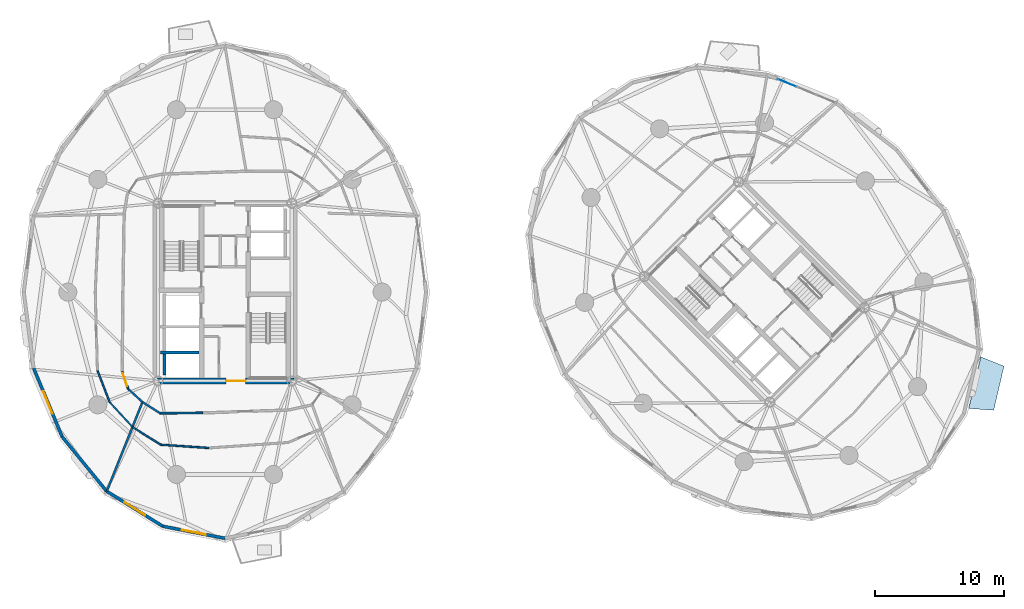
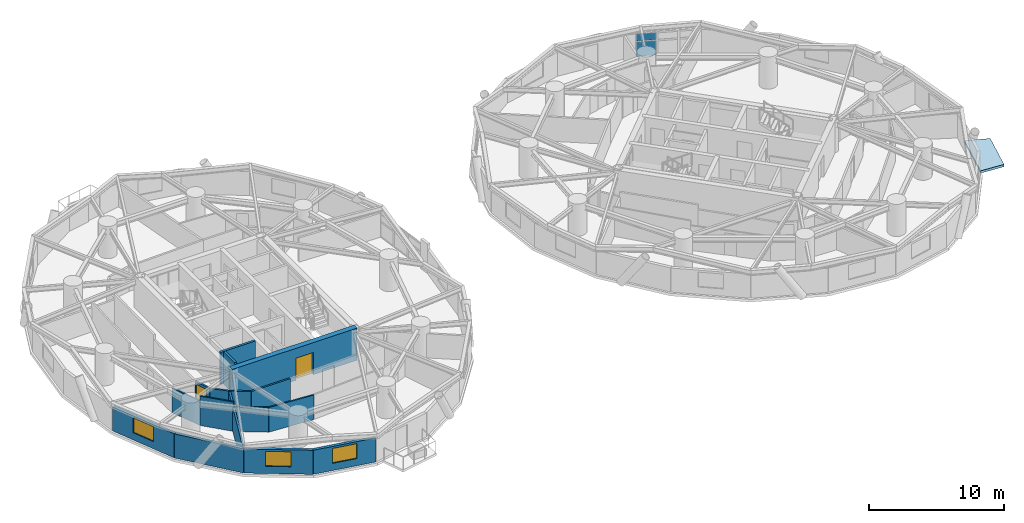
# One storey, part 8 of 18: 16 walls, 3 windows, 2 doors, 2 plates, 1 slab, 5 openings, 1 element without a shape of its own.
"""IFC4 building model written with IfcOpenShell, lengths in metres."""

from ifc_helpers import new_model, si_unit, direction, frame, frame_2d, origin, origin_2d, place, context, subcontext, project, spatial, polyline, rectangle, outline, extrude, source, transform, mapped, material, layer, layer_set, type_object, element, fill, aggregate, save


model = new_model("IFC4")

# Units and contexts
model_context = context("Model", 3, precision=1e-05, world=origin(), true_north=direction((0.0, 1.0)))
body_context = subcontext(model_context, "Body", "Model", "MODEL_VIEW")
ifc_project = project(units=[si_unit("LENGTHUNIT", "METRE"), si_unit("AREAUNIT", "SQUARE_METRE"), si_unit("VOLUMEUNIT", "CUBIC_METRE"), si_unit("PLANEANGLEUNIT", "RADIAN"), si_unit("MASSUNIT", "GRAM", prefix="KILO")], contexts=[model_context])

# Site, building, storey
site_placement = place(None, origin())
site = spatial("IfcSite", under=ifc_project, at=site_placement, CompositionType="ELEMENT")
building_placement = place(site_placement, origin())
building = spatial("IfcBuilding", under=site, at=building_placement, Name="Cununo Teusaquillo Station Towers", CompositionType="ELEMENT")
storey_placement = place(building_placement, frame((0.0, 0.0, 105.070068359375)))
storey = spatial("IfcBuildingStorey", under=building, at=storey_placement, Name="L33", CompositionType="ELEMENT", Elevation=105.070068359375)

# Slab
ifc_material_1 = material(Name="Concrete C50/60", Category="concrete")
ifc_layer_1 = layer(ifc_material_1, 0.2099609375)
ifc_layer_set_1 = layer_set([ifc_layer_1], Name="Concrete C50/60")
slab_type = type_object("IfcSlabType", Name="SLB-BAL-210", PredefinedType="FLOOR", material=ifc_layer_set_1)
slab_placement = place(storey_placement, frame((0.0, 0.0, -0.2099609375)))
element("IfcSlab", 1, at=slab_placement, inside=storey, type_object=slab_type, Name="L33 Tower B Tree Balcony Slab 2", PredefinedType="FLOOR", context=body_context, shape_type="SweptSolid", body=[
    extrude(outline(polyline([(74.1083984375, 15.4873046875), (75.04150390625, 19.486083984375), (76.83837890625, 18.7587890625), (76.04150390625, 15.344482421875), (74.1083984375, 15.4873046875)])), origin(), (0.0, 0.0, 1.0), 0.2099609375),
])

# Curtain wall, plates
ifc_material_2 = material(Name="Ceramic-fritted dark low-E double glazing", Category="glass")
ifc_layer_2 = layer(ifc_material_2, 0.179931640625)
ifc_layer_set_2 = layer_set([ifc_layer_2], Name="Ceramic-fritted dark low-E double glazing")
curtain_wall_type = type_object("IfcCurtainWallType", Name="CW-SYS-04", PredefinedType="USERDEFINED", material=ifc_layer_set_2)
curtain_wall_placement = place(storey_placement, origin())
curtain_wall = element("IfcCurtainWall", 2, at=curtain_wall_placement, inside=storey, type_object=curtain_wall_type, Name="L33 Tower B Facade Curtain Wall C01", ObjectType="FRITTED GLAZING", PredefinedType="USERDEFINED")
ifc_material_3 = material(Name="Ceramic-fritted dark low-E double glazing", Category="glass")
ifc_layer_3 = layer(ifc_material_3, 0.028076171875)
ifc_layer_set_3 = layer_set([ifc_layer_3], Name="Ceramic-fritted dark low-E double glazing")
plate_type = type_object("IfcPlateType", Name="CWP-FRIT-28", PredefinedType="CURTAIN_PANEL", material=ifc_layer_set_3)
shared_shape_1 = source(origin(), body_context, "Body", "SweptSolid", [
    extrude(rectangle(XDim=1.531005859375, YDim=0.028076171875, at=origin_2d()), origin(), (0.0, 0.0, 1.0), 1.31103515625),
])
plate_1_placement = place(storey_placement, frame((60.045654296875, 40.697021484375, 0.06982421875), z_axis=(0.0, 0.0, 1.0), x_axis=(0.924562443652, -0.381030560176, 0.0)))
plate_1 = element("IfcPlate", 3, at=plate_1_placement, type_object=plate_type, Name="CW-04 panel 1.1", PredefinedType="CURTAIN_PANEL", context=body_context, shape_type="MappedRepresentation", body=[
    mapped(shared_shape_1, transform((0.0, 0.0, 0.0), x_axis=(1.0, 0.0, 0.0), y_axis=(0.0, 1.0, 0.0), z_axis=(0.0, 0.0, 1.0), scale=1.0)),
])
shared_shape_2 = source(origin(), body_context, "Body", "SweptSolid", [
    extrude(rectangle(XDim=1.531005859375, YDim=0.028076171875, at=origin_2d()), origin(), (0.0, 0.0, 1.0), 0.657958984375),
])
plate_2_placement = place(storey_placement, frame((60.045654296875, 40.697021484375, 1.451171875), z_axis=(0.0, 0.0, 1.0), x_axis=(0.924562443652, -0.381030560176, 0.0)))
plate_2 = element("IfcPlate", 4, at=plate_2_placement, type_object=plate_type, Name="CW-04 panel 1.2", PredefinedType="CURTAIN_PANEL", context=body_context, shape_type="MappedRepresentation", body=[
    mapped(shared_shape_2, transform((0.0, 0.0, 0.0), x_axis=(1.0, 0.0, 0.0), y_axis=(0.0, 1.0, 0.0), z_axis=(0.0, 0.0, 1.0), scale=1.0)),
])
aggregate(curtain_wall, [plate_1, plate_2])

# Walls
ifc_material_4 = material(Name="Concrete C50/60", Category="concrete")
ifc_layer_4 = layer(ifc_material_4, 0.199951171875)
ifc_layer_set_4 = layer_set([ifc_layer_4], Name="Concrete C50/60")
wall_type_1 = type_object("IfcWallType", Name="WL-CORE-200", PredefinedType="SHEAR", material=ifc_layer_set_4)
wall_1_placement = place(storey_placement, frame((11.52001953125, 19.824951171875, 0.0), z_axis=(0.0, 0.0, 1.0), x_axis=(1.0, 0.0, 0.0)))
element("IfcWall", 5, at=wall_1_placement, inside=storey, type_object=wall_type_1, Name="L33 Tower A High-Rise Lift Hoistway Divider Shear Wall", PredefinedType="SHEAR", context=body_context, shape_type="SweptSolid", body=[
    extrude(rectangle(XDim=2.969970703125, YDim=0.199951171875, at=frame_2d((1.48486328125, 0.0))), origin(), (0.0, 0.0, 1.0), 2.909912109375),
])
wall_2_placement = place(storey_placement, frame((11.820068359375, 18.070068359375, 0.0), z_axis=(0.0, 0.0, 1.0), x_axis=(0.0, 1.0, 0.0)))
element("IfcWall", 6, at=wall_2_placement, inside=storey, type_object=wall_type_1, Name="L33 Tower A High-Rise Lift 1 Shaft Rear Shear Wall", PredefinedType="SHEAR", context=body_context, shape_type="SweptSolid", body=[
    extrude(rectangle(XDim=1.635009765625, YDim=0.199951171875, at=frame_2d((0.8173828125, 0.0))), origin(), (0.0, 0.0, 1.0), 2.909912109375),
])

# Wall, opening, door
ifc_material_5 = material(Name="Concrete C60/75", Category="concrete")
ifc_layer_5 = layer(ifc_material_5, 0.449951171875)
ifc_layer_set_5 = layer_set([ifc_layer_5], Name="Concrete C60/75")
wall_type_2 = type_object("IfcWallType", Name="WL-CORE-450", PredefinedType="SHEAR", material=ifc_layer_set_5)
wall_3_placement = place(storey_placement, frame((11.14990234375, 17.625, 0.0), z_axis=(0.0, 0.0, 1.0), x_axis=(1.0, 0.0, 0.0)))
wall_3 = element("IfcWall", 7, at=wall_3_placement, inside=storey, type_object=wall_type_2, Name="L33 Tower A Core Shear Wall S", PredefinedType="SHEAR", context=body_context, shape_type="SweptSolid", body=[
    extrude(rectangle(XDim=10.7001953125, YDim=0.449951171875, at=frame_2d((5.35009765625, 0.0))), origin(), (0.0, 0.0, 1.0), 2.909912109375),
])
shared_shape_3 = source(origin(), body_context, "Body", "SweptSolid", [
    extrude(rectangle(XDim=1.5, YDim=2.02001953125, at=frame_2d((0.75, 1.010009765625))), frame((0.0, 0.23486328125, 0.0), z_axis=(0.0, -1.0, 0.0), x_axis=(1.0, 0.0, 0.0)), (0.0, 0.0, 1.0), 0.469970703125),
])
opening_1_placement = place(wall_3_placement, frame((5.449951171875, 0.0, 0.0)))
opening_1 = element("IfcOpeningElement", 8, at=opening_1_placement, cuts=wall_3, Name="Opening D-LB1", PredefinedType="OPENING", context=body_context, shape_type="MappedRepresentation", body=[
    mapped(shared_shape_3, transform((0.0, 0.0, 0.0), x_axis=(1.0, 0.0, 0.0), y_axis=(0.0, 1.0, 0.0), z_axis=(0.0, 0.0, 1.0), scale=1.0)),
])
ifc_material_6 = material(Name="Galvanised fire-rated hollow steel door assembly", Category="steel")
door_type_1 = type_object("IfcDoorType", Name="DR-LOBBY-1500", OperationType="DOUBLE_DOOR_SINGLE_SWING", PredefinedType="DOOR", material=ifc_material_6)
shared_shape_4 = source(origin(), body_context, "Body", "SweptSolid", [
    extrude(rectangle(XDim=1.5, YDim=2.02001953125, at=frame_2d((0.75, 1.010009765625))), frame((0.0, 0.02490234375, 0.0), z_axis=(0.0, -1.0, 0.0), x_axis=(1.0, 0.0, 0.0)), (0.0, 0.0, 1.0), 0.050048828125),
])
door_1_placement = place(opening_1_placement, origin())
door_1 = element("IfcDoor", 9, at=door_1_placement, inside=storey, type_object=door_type_1, Name="L33 Tower A South Core Lift Lobby Door", OperationType="DOUBLE_DOOR_SINGLE_SWING", OverallHeight=2.02001953125, OverallWidth=1.5, PredefinedType="DOOR", context=body_context, shape_type="MappedRepresentation", body=[
    mapped(shared_shape_4, transform((0.0, 0.0, 0.0), x_axis=(1.0, 0.0, 0.0), y_axis=(0.0, 1.0, 0.0), z_axis=(0.0, 0.0, 1.0), scale=1.0)),
])
fill(opening_1, door_1)

# Wall, opening, window
ifc_material_7 = material(Name="Precast concrete C40/50", Category="concrete")
ifc_layer_6 = layer(ifc_material_7, 0.239990234375)
ifc_layer_set_6 = layer_set([ifc_layer_6], Name="Precast concrete C40/50")
wall_type_3 = type_object("IfcWallType", Name="WL-EXT-240", PredefinedType="SOLIDWALL", material=ifc_layer_set_6)
wall_4_placement = place(storey_placement, frame((3.894775390625, 13.291015625, 0.0), z_axis=(0.0, 0.0, 1.0), x_axis=(-0.384344417632, 0.923189779317, 0.0)))
wall_4 = element("IfcWall", 10, at=wall_4_placement, inside=storey, type_object=wall_type_3, Name="L33 Tower A Exterior Facade Wall C11", PredefinedType="SOLIDWALL", context=body_context, shape_type="SweptSolid", body=[
    extrude(rectangle(XDim=5.75830078125, YDim=0.239990234375, at=frame_2d((2.879150390625, 0.0))), origin(), (0.0, 0.0, 1.0), 2.178955078125),
])
shared_shape_5 = source(origin(), body_context, "Body", "SweptSolid", [
    extrude(rectangle(XDim=1.89990234375, YDim=1.35009765625, at=frame_2d((0.949951171875, 0.675048828125))), frame((0.0, 0.1298828125, 0.0), z_axis=(0.0, -1.0, 0.0), x_axis=(1.0, 0.0, 0.0)), (0.0, 0.0, 1.0), 0.260009765625),
])
opening_2_placement = place(wall_4_placement, frame((1.928955078125, 0.0, 0.64990234375)))
opening_2 = element("IfcOpeningElement", 11, at=opening_2_placement, cuts=wall_4, Name="Opening WN-02", PredefinedType="OPENING", context=body_context, shape_type="MappedRepresentation", body=[
    mapped(shared_shape_5, transform((0.0, 0.0, 0.0), x_axis=(1.0, 0.0, 0.0), y_axis=(0.0, 1.0, 0.0), z_axis=(0.0, 0.0, 1.0), scale=1.0)),
])
ifc_material_8 = material(Name="Operable acoustic tinted low-E double glazing", Category="glass")
window_type = type_object("IfcWindowType", Name="WIN-OPER-1900", PartitioningType="DOUBLE_PANEL_VERTICAL", PredefinedType="WINDOW", material=ifc_material_8)
shared_shape_6 = source(origin(), body_context, "Body", "SweptSolid", [
    extrude(rectangle(XDim=1.89990234375, YDim=1.35009765625, at=frame_2d((0.949951171875, 0.675048828125))), frame((0.0, 0.030029296875, 0.0), z_axis=(0.0, -1.0, 0.0), x_axis=(1.0, 0.0, 0.0)), (0.0, 0.0, 1.0), 0.06005859375),
])
window_1_placement = place(opening_2_placement, origin())
window_1 = element("IfcWindow", 12, at=window_1_placement, inside=storey, type_object=window_type, Name="L33 Tower A Facade Window C11", OverallHeight=1.35009765625, OverallWidth=1.89990234375, PartitioningType="DOUBLE_PANEL_VERTICAL", PredefinedType="WINDOW", context=body_context, shape_type="MappedRepresentation", body=[
    mapped(shared_shape_6, transform((0.0, 0.0, 0.0), x_axis=(1.0, 0.0, 0.0), y_axis=(0.0, 1.0, 0.0), z_axis=(0.0, 0.0, 1.0), scale=1.0)),
])
fill(opening_2, window_1)

# Wall
wall_5_placement = place(storey_placement, frame((7.341796875, 9.072021484375, 0.0), z_axis=(0.0, 0.0, 1.0), x_axis=(-0.632700781152, 0.77439635945, 0.0)))
element("IfcWall", 13, at=wall_5_placement, inside=storey, type_object=wall_type_3, Name="L33 Tower A Exterior Facade Wall C12", PredefinedType="SOLIDWALL", context=body_context, shape_type="SweptSolid", body=[
    extrude(rectangle(XDim=5.447998046875, YDim=0.239990234375, at=frame_2d((2.72412109375, 0.0))), origin(), (0.0, 0.0, 1.0), 2.178955078125),
])

# Wall, opening, window
wall_6_placement = place(storey_placement, frame((11.685302734375, 6.36328125, 0.0), z_axis=(0.0, 0.0, 1.0), x_axis=(-0.848520380187, 0.529162701263, 0.0)))
wall_6 = element("IfcWall", 14, at=wall_6_placement, inside=storey, type_object=wall_type_3, Name="L33 Tower A Exterior Facade Wall C13", PredefinedType="SOLIDWALL", context=body_context, shape_type="SweptSolid", body=[
    extrude(rectangle(XDim=5.118896484375, YDim=0.239990234375, at=frame_2d((2.5595703125, 0.0))), origin(), (0.0, 0.0, 1.0), 2.178955078125),
])
opening_3_placement = place(wall_6_placement, frame((1.60888671875, 0.0, 0.64990234375)))
opening_3 = element("IfcOpeningElement", 15, at=opening_3_placement, cuts=wall_6, Name="Opening WN-02", PredefinedType="OPENING", context=body_context, shape_type="MappedRepresentation", body=[
    mapped(shared_shape_5, transform((0.0, 0.0, 0.0), x_axis=(1.0, 0.0, 0.0), y_axis=(0.0, 1.0, 0.0), z_axis=(0.0, 0.0, 1.0), scale=1.0)),
])
window_2_placement = place(opening_3_placement, origin())
window_2 = element("IfcWindow", 16, at=window_2_placement, inside=storey, type_object=window_type, Name="L33 Tower A Facade Window C13", OverallHeight=1.35009765625, OverallWidth=1.89990234375, PartitioningType="DOUBLE_PANEL_VERTICAL", PredefinedType="WINDOW", context=body_context, shape_type="MappedRepresentation", body=[
    mapped(shared_shape_6, transform((0.0, 0.0, 0.0), x_axis=(1.0, 0.0, 0.0), y_axis=(0.0, 1.0, 0.0), z_axis=(0.0, 0.0, 1.0), scale=1.0)),
])
fill(opening_3, window_2)

wall_7_placement = place(storey_placement, frame((16.5, 5.429931640625, 0.0), z_axis=(0.0, 0.0, 1.0), x_axis=(-0.981723785992, 0.190311344954, 0.0)))
wall_7 = element("IfcWall", 17, at=wall_7_placement, inside=storey, type_object=wall_type_3, Name="L33 Tower A Exterior Facade Wall C14", PredefinedType="SOLIDWALL", context=body_context, shape_type="SweptSolid", body=[
    extrude(rectangle(XDim=4.904296875, YDim=0.239990234375, at=frame_2d((2.4521484375, 0.0))), origin(), (0.0, 0.0, 1.0), 2.178955078125),
])
opening_4_placement = place(wall_7_placement, frame((1.501953125, 0.0, 0.64990234375)))
opening_4 = element("IfcOpeningElement", 18, at=opening_4_placement, cuts=wall_7, Name="Opening WN-02", PredefinedType="OPENING", context=body_context, shape_type="MappedRepresentation", body=[
    mapped(shared_shape_5, transform((0.0, 0.0, 0.0), x_axis=(1.0, 0.0, 0.0), y_axis=(0.0, 1.0, 0.0), z_axis=(0.0, 0.0, 1.0), scale=1.0)),
])
window_3_placement = place(opening_4_placement, origin())
window_3 = element("IfcWindow", 19, at=window_3_placement, inside=storey, type_object=window_type, Name="L33 Tower A Facade Window C14", OverallHeight=1.35009765625, OverallWidth=1.89990234375, PartitioningType="DOUBLE_PANEL_VERTICAL", PredefinedType="WINDOW", context=body_context, shape_type="MappedRepresentation", body=[
    mapped(shared_shape_6, transform((0.0, 0.0, 0.0), x_axis=(1.0, 0.0, 0.0), y_axis=(0.0, 1.0, 0.0), z_axis=(0.0, 0.0, 1.0), scale=1.0)),
])
fill(opening_4, window_3)

# Walls
ifc_material_9 = material(Name="Fire-rated gypsum plasterboard partition assembly", Category="gypsum")
ifc_layer_7 = layer(ifc_material_9, 0.125)
ifc_layer_set_7 = layer_set([ifc_layer_7], Name="Fire-rated gypsum plasterboard partition assembly")
wall_type_4 = type_object("IfcWallType", Name="WL-PART-125", PredefinedType="PARTITIONING", material=ifc_layer_set_7)
wall_8_placement = place(storey_placement, frame((6.623779296875, 18.4150390625, 0.0), z_axis=(0.0, 0.0, 1.0), x_axis=(0.363854295337, -0.931455877519, 0.0)))
element("IfcWall", 20, at=wall_8_placement, inside=storey, type_object=wall_type_4, Name="L33 Tower A Ambassadorial Executive Office Concentric Partition Wall C11", PredefinedType="PARTITIONING", context=body_context, shape_type="SweptSolid", body=[
    extrude(rectangle(XDim=2.635009765625, YDim=0.125, at=frame_2d((1.3173828125, 0.0))), origin(), (0.0, 0.0, 1.0), 2.224853515625),
])
wall_9_placement = place(storey_placement, frame((7.58251953125, 15.960693359375, 0.0), z_axis=(0.0, 0.0, 1.0), x_axis=(0.677838563189, -0.735210774032, 0.0)))
element("IfcWall", 21, at=wall_9_placement, inside=storey, type_object=wall_type_4, Name="L33 Tower A Ambassadorial Executive Office Concentric Partition Wall C12", PredefinedType="PARTITIONING", context=body_context, shape_type="SweptSolid", body=[
    extrude(rectangle(XDim=2.595703125, YDim=0.125, at=frame_2d((1.2978515625, 0.0))), origin(), (0.0, 0.0, 1.0), 2.655029296875),
])
wall_10_placement = place(storey_placement, frame((9.342041015625, 14.05224609375, 0.0), z_axis=(0.0, 0.0, 1.0), x_axis=(0.846526826244, -0.532346064557, 0.0)))
element("IfcWall", 22, at=wall_10_placement, inside=storey, type_object=wall_type_4, Name="L33 Tower A Cultural Attache Workplace Concentric Partition Wall C13", PredefinedType="PARTITIONING", context=body_context, shape_type="SweptSolid", body=[
    extrude(rectangle(XDim=2.578369140625, YDim=0.125, at=frame_2d((1.2890625, 0.0))), origin(), (0.0, 0.0, 1.0), 2.224853515625),
])
wall_11_placement = place(storey_placement, frame((11.524658203125, 12.6796875, 0.0), z_axis=(0.0, 0.0, 1.0), x_axis=(0.997726815836, -0.067388433443, 0.0)))
element("IfcWall", 23, at=wall_11_placement, inside=storey, type_object=wall_type_4, Name="L33 Tower A Cultural Attache Workplace Concentric Partition Wall C14", PredefinedType="PARTITIONING", context=body_context, shape_type="SweptSolid", body=[
    extrude(rectangle(XDim=3.74609375, YDim=0.125, at=frame_2d((1.873046875, 0.0))), origin(), (0.0, 0.0, 1.0), 2.224853515625),
])

# Wall, opening, door
ifc_material_10 = material(Name="Fire-rated gypsum plasterboard partition assembly", Category="gypsum")
ifc_layer_8 = layer(ifc_material_10, 0.14990234375)
ifc_layer_set_8 = layer_set([ifc_layer_8], Name="Fire-rated gypsum plasterboard partition assembly")
wall_type_5 = type_object("IfcWallType", Name="WL-PART-150", PredefinedType="PARTITIONING", material=ifc_layer_set_8)
wall_12_placement = place(storey_placement, frame((8.538330078125, 18.338134765625, 0.0), z_axis=(0.0, 0.0, 1.0), x_axis=(0.331358150167, -0.94350504838, 0.0)))
wall_12 = element("IfcWall", 24, at=wall_12_placement, inside=storey, type_object=wall_type_5, Name="L33 Tower A Corridor Ring Wall C11", PredefinedType="PARTITIONING", context=body_context, shape_type="SweptSolid", body=[
    extrude(rectangle(XDim=1.42431640625, YDim=0.14990234375, at=frame_2d((0.712158203125, 0.0))), origin(), (0.0, 0.0, 1.0), 2.224853515625),
])
shared_shape_7 = source(origin(), body_context, "Body", "SweptSolid", [
    extrude(rectangle(XDim=1.050048828125, YDim=2.014892578125, at=frame_2d((0.52490234375, 1.00732421875))), frame((0.0, 0.0849609375, 0.0), z_axis=(0.0, -1.0, 0.0), x_axis=(1.0, 0.0, 0.0)), (0.0, 0.0, 1.0), 0.169921875),
])
opening_5_placement = place(wall_12_placement, frame((0.1201171875, 0.0, 0.0)))
opening_5 = element("IfcOpeningElement", 25, at=opening_5_placement, cuts=wall_12, Name="Opening D-SU1", PredefinedType="OPENING", context=body_context, shape_type="MappedRepresentation", body=[
    mapped(shared_shape_7, transform((0.0, 0.0, 0.0), x_axis=(1.0, 0.0, 0.0), y_axis=(0.0, 1.0, 0.0), z_axis=(0.0, 0.0, 1.0), scale=1.0)),
])
ifc_material_11 = material(Name="Acoustic solid-core hardwood leaf assembly", Category="wood")
door_type_2 = type_object("IfcDoorType", Name="DR-SUITE-1050", OperationType="NOTDEFINED", PredefinedType="DOOR", material=ifc_material_11)
shared_shape_8 = source(origin(), body_context, "Body", "SweptSolid", [
    extrude(rectangle(XDim=1.050048828125, YDim=2.014892578125, at=frame_2d((0.52490234375, 1.00732421875))), frame((0.0, 0.02490234375, 0.0), z_axis=(0.0, -1.0, 0.0), x_axis=(1.0, 0.0, 0.0)), (0.0, 0.0, 1.0), 0.050048828125),
])
door_2_placement = place(opening_5_placement, origin())
door_2 = element("IfcDoor", 26, at=door_2_placement, inside=storey, type_object=door_type_2, Name="L33 Tower A Ambassadorial Executive Office Entrance Door", OperationType="SINGLE_SWING_RIGHT", OverallHeight=2.014892578125, OverallWidth=1.050048828125, PredefinedType="DOOR", context=body_context, shape_type="MappedRepresentation", body=[
    mapped(shared_shape_8, transform((0.0, 0.0, 0.0), x_axis=(1.0, 0.0, 0.0), y_axis=(0.0, 1.0, 0.0), z_axis=(0.0, 0.0, 1.0), scale=1.0)),
])
fill(opening_5, door_2)

# Walls
wall_13_placement = place(storey_placement, frame((9.01025390625, 16.994384765625, 0.0), z_axis=(0.0, 0.0, 1.0), x_axis=(0.737701798986, -0.67512669609, 0.0)))
element("IfcWall", 27, at=wall_13_placement, inside=storey, type_object=wall_type_5, Name="L33 Tower A Corridor Ring Wall C12", PredefinedType="PARTITIONING", context=body_context, shape_type="SweptSolid", body=[
    extrude(rectangle(XDim=1.498291015625, YDim=0.14990234375, at=frame_2d((0.7490234375, 0.0))), origin(), (0.0, 0.0, 1.0), 2.224853515625),
])
wall_14_placement = place(storey_placement, frame((10.115478515625, 15.98291015625, 0.0), z_axis=(0.0, 0.0, 1.0), x_axis=(0.843995849351, -0.536349705209, 0.0)))
element("IfcWall", 28, at=wall_14_placement, inside=storey, type_object=wall_type_5, Name="L33 Tower A Corridor Ring Wall C13", PredefinedType="PARTITIONING", context=body_context, shape_type="SweptSolid", body=[
    extrude(rectangle(XDim=1.5927734375, YDim=0.14990234375, at=frame_2d((0.79638671875, 0.0))), origin(), (0.0, 0.0, 1.0), 2.224853515625),
])
wall_15_placement = place(storey_placement, frame((11.459716796875, 15.128662109375, 0.0), z_axis=(0.0, 0.0, 1.0), x_axis=(0.999993513287, 0.003601858435, 0.0)))
element("IfcWall", 29, at=wall_15_placement, inside=storey, type_object=wall_type_5, Name="L33 Tower A Corridor Ring Wall C14", PredefinedType="PARTITIONING", context=body_context, shape_type="SweptSolid", body=[
    extrude(rectangle(XDim=3.3212890625, YDim=0.14990234375, at=frame_2d((1.66064453125, 0.0))), origin(), (0.0, 0.0, 1.0), 2.224853515625),
])
ifc_material_12 = material(Name="Fire-rated gypsum plasterboard partition assembly", Category="gypsum")
ifc_layer_9 = layer(ifc_material_12, 0.159912109375)
ifc_layer_set_9 = layer_set([ifc_layer_9], Name="Fire-rated gypsum plasterboard partition assembly")
wall_type_6 = type_object("IfcWallType", Name="WL-PART-160", PredefinedType="PARTITIONING", material=ifc_layer_set_9)
wall_16_placement = place(storey_placement, frame((10.115478515625, 15.98291015625, 0.0), z_axis=(0.0, 0.0, 1.0), x_axis=(-0.371861013147, -0.928288417951, 0.0)))
element("IfcWall", 30, at=wall_16_placement, inside=storey, type_object=wall_type_6, Name="L33 Tower A Radial Suite Partition R05", PredefinedType="PARTITIONING", context=body_context, shape_type="SweptSolid", body=[
    extrude(rectangle(XDim=7.427490234375, YDim=0.159912109375, at=frame_2d((3.7138671875, 0.0))), origin(), (0.0, 0.0, 1.0), 2.178955078125),
])

save(model, "model.ifc")
